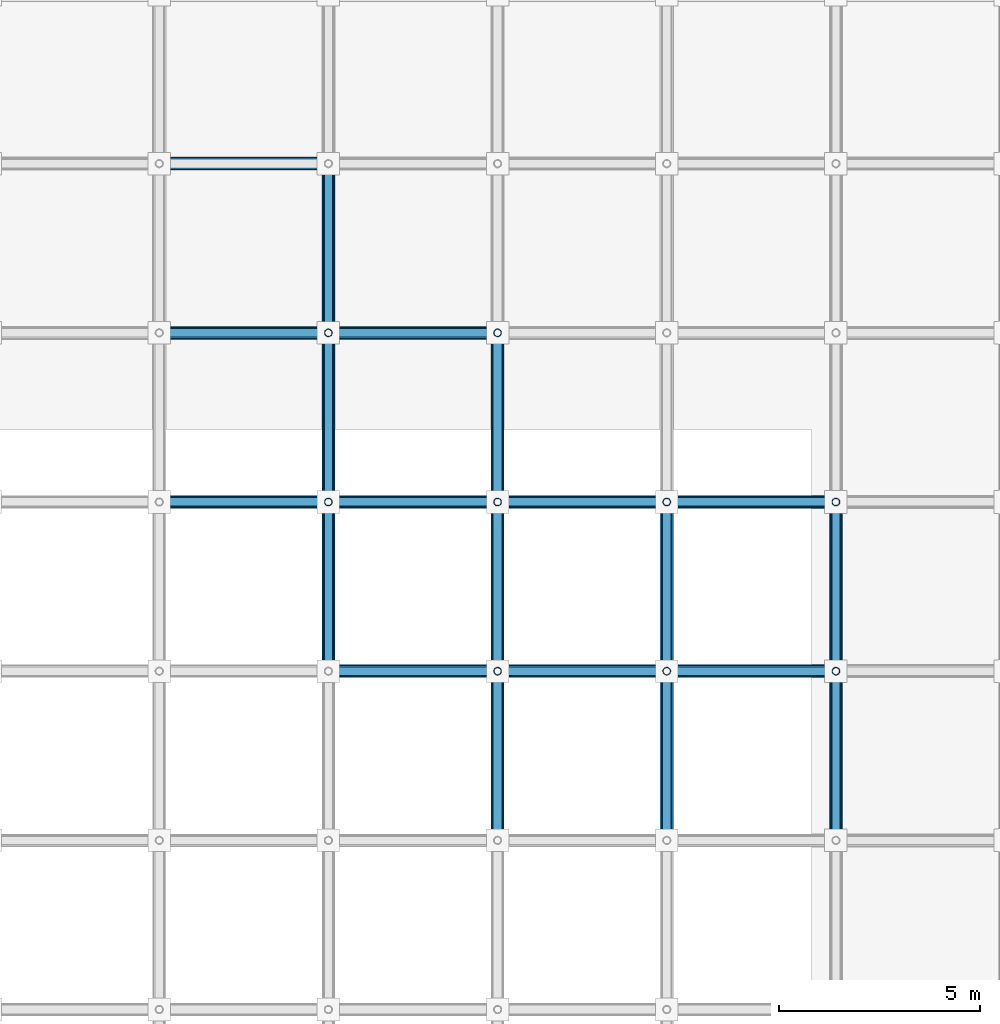
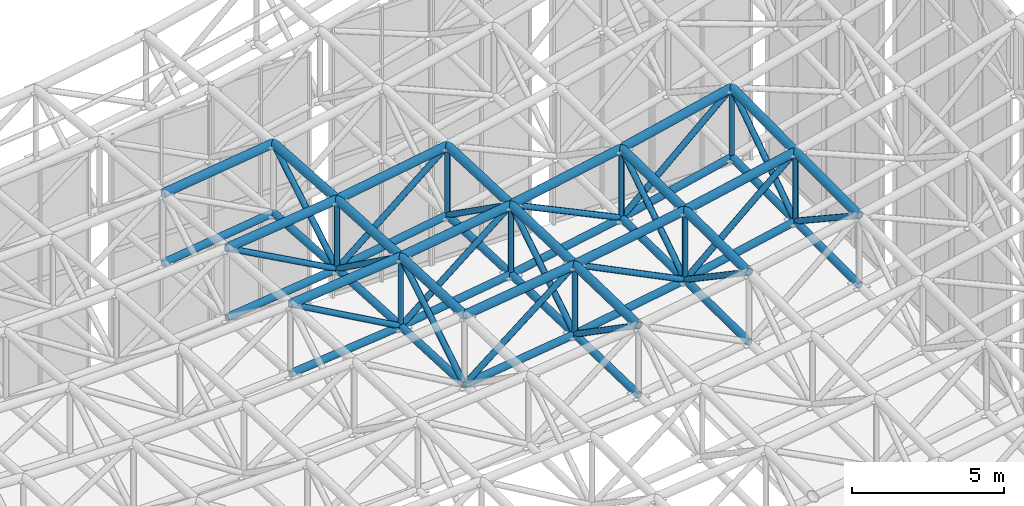
# One storey, part 36 of 93: 68 members.
"""IFC4 building model written with IfcOpenShell, lengths in metres."""

from ifc_helpers import new_model, si_unit, direction, frame, origin, origin_2d, place, context, subcontext, project, spatial, hollow_circle, extrude, material, material_profile, profile_set, type_object, element, save


model = new_model("IFC4")

# Units and contexts
model_context = context("Model", 3, precision=1e-05, world=origin(), true_north=direction((0.0, 1.0)))
body_context = subcontext(model_context, "Body", "Model", "MODEL_VIEW")
ifc_project = project(units=[si_unit("LENGTHUNIT", "METRE"), si_unit("AREAUNIT", "SQUARE_METRE"), si_unit("VOLUMEUNIT", "CUBIC_METRE"), si_unit("PLANEANGLEUNIT", "RADIAN"), si_unit("MASSUNIT", "GRAM", prefix="KILO")], contexts=[model_context])

# Site, building, storey
site_placement = place(None, origin())
site = spatial("IfcSite", under=ifc_project, at=site_placement, CompositionType="ELEMENT")
building_placement = place(site_placement, origin())
building = spatial("IfcBuilding", under=site, at=building_placement, Name="Cumbredor Promenade Congress Hotel", CompositionType="ELEMENT")
storey_placement = place(building_placement, frame((0.0, 0.0, 21.840087890625)))
storey = spatial("IfcBuildingStorey", under=building, at=storey_placement, Name="L06", CompositionType="ELEMENT", Elevation=21.840087890625)

# Members
ifc_material = material(Name="Steel ASTM A500 Grade C", Category="steel")
ifc_material_profile_1 = material_profile(ifc_material, hollow_circle(Radius=0.136474609375, WallThickness=0.01611328125, at=origin_2d()), Name="CHS 273.0x16")
ifc_profile_set_1 = profile_set([ifc_material_profile_1], Name="Steel ASTM A500 Grade C")
member_type_1 = type_object("IfcMemberType", Name="Plenary Roof Space Frame Bottom Chord", PredefinedType="CHORD", material=ifc_profile_set_1)
member_1_placement = place(storey_placement, frame((46.199951171875, 50.39990234375, 8.256103515625), z_axis=(0.991135072385, 0.0, 0.132858075738), x_axis=(0.0, 1.0, 0.0)))
element("IfcMember", 1, at=member_1_placement, inside=storey, type_object=member_type_1, Name="Plenary Congress Hall X Bottom Chord 13.13", PredefinedType="CHORD", context=body_context, shape_type="SweptSolid", body=[
    extrude(hollow_circle(Radius=0.136474609375, WallThickness=0.01611328125, at=origin_2d()), origin(), (0.0, 0.0, 1.0), 4.237548828125),
])
member_2_placement = place(storey_placement, frame((50.39990234375, 50.39990234375, 8.819091796875), z_axis=(0.985471688827, 0.0, 0.169839778968), x_axis=(0.0, 1.0, 0.0)))
element("IfcMember", 2, at=member_2_placement, inside=storey, type_object=member_type_1, Name="Plenary Congress Hall X Bottom Chord 14.13", PredefinedType="CHORD", context=body_context, shape_type="SweptSolid", body=[
    extrude(hollow_circle(Radius=0.136474609375, WallThickness=0.01611328125, at=origin_2d()), origin(), (0.0, 0.0, 1.0), 4.26220703125),
])
member_3_placement = place(storey_placement, frame((54.60009765625, 50.39990234375, 9.54296875), z_axis=(0.978511747539, 0.0, 0.206191076256), x_axis=(0.0, 1.0, 0.0)))
element("IfcMember", 3, at=member_3_placement, inside=storey, type_object=member_type_1, Name="Plenary Congress Hall X Bottom Chord 15.13", PredefinedType="CHORD", context=body_context, shape_type="SweptSolid", body=[
    extrude(hollow_circle(Radius=0.136474609375, WallThickness=0.01611328125, at=origin_2d()), origin(), (0.0, 0.0, 1.0), 4.292236328125),
])
member_4_placement = place(storey_placement, frame((42.0, 54.60009765625, 7.62109375), z_axis=(0.99446833023, 0.0, 0.105036851481), x_axis=(0.0, 1.0, 0.0)))
element("IfcMember", 4, at=member_4_placement, inside=storey, type_object=member_type_1, Name="Plenary Congress Hall X Bottom Chord 12.14", PredefinedType="CHORD", context=body_context, shape_type="SweptSolid", body=[
    extrude(hollow_circle(Radius=0.136474609375, WallThickness=0.01611328125, at=origin_2d()), origin(), (0.0, 0.0, 1.0), 4.223388671875),
])
member_5_placement = place(storey_placement, frame((46.199951171875, 54.60009765625, 8.064697265625), z_axis=(0.989250033401, 0.0, 0.146233961224), x_axis=(0.0, 1.0, 0.0)))
element("IfcMember", 5, at=member_5_placement, inside=storey, type_object=member_type_1, Name="Plenary Congress Hall X Bottom Chord 13.14", PredefinedType="CHORD", context=body_context, shape_type="SweptSolid", body=[
    extrude(hollow_circle(Radius=0.136474609375, WallThickness=0.01611328125, at=origin_2d()), origin(), (0.0, 0.0, 1.0), 4.24560546875),
])
member_6_placement = place(storey_placement, frame((50.39990234375, 54.60009765625, 8.685546875), z_axis=(0.982400987656, 0.0, 0.186784098502), x_axis=(0.0, 1.0, 0.0)))
element("IfcMember", 6, at=member_6_placement, inside=storey, type_object=member_type_1, Name="Plenary Congress Hall X Bottom Chord 14.14", PredefinedType="CHORD", context=body_context, shape_type="SweptSolid", body=[
    extrude(hollow_circle(Radius=0.136474609375, WallThickness=0.01611328125, at=origin_2d()), origin(), (0.0, 0.0, 1.0), 4.275390625),
])
member_7_placement = place(storey_placement, frame((54.60009765625, 54.60009765625, 9.484130859375), z_axis=(0.974054198516, 0.0, 0.226314865516), x_axis=(0.0, 1.0, 0.0)))
element("IfcMember", 7, at=member_7_placement, inside=storey, type_object=member_type_1, Name="Plenary Congress Hall X Bottom Chord 15.14", PredefinedType="CHORD", context=body_context, shape_type="SweptSolid", body=[
    extrude(hollow_circle(Radius=0.136474609375, WallThickness=0.01611328125, at=origin_2d()), origin(), (0.0, 0.0, 1.0), 4.311767578125),
])
member_8_placement = place(storey_placement, frame((42.0, 58.800048828125, 7.329833984375), z_axis=(0.993116278673, 0.0, 0.117132647179), x_axis=(0.0, 1.0, 0.0)))
element("IfcMember", 8, at=member_8_placement, inside=storey, type_object=member_type_1, Name="Plenary Congress Hall X Bottom Chord 12.15", PredefinedType="CHORD", context=body_context, shape_type="SweptSolid", body=[
    extrude(hollow_circle(Radius=0.136474609375, WallThickness=0.01611328125, at=origin_2d()), origin(), (0.0, 0.0, 1.0), 4.22900390625),
])
member_9_placement = place(storey_placement, frame((46.199951171875, 58.800048828125, 7.8251953125), z_axis=(0.986645422548, 0.0, 0.16288281114), x_axis=(0.0, 1.0, 0.0)))
element("IfcMember", 9, at=member_9_placement, inside=storey, type_object=member_type_1, Name="Plenary Congress Hall X Bottom Chord 13.15", PredefinedType="CHORD", context=body_context, shape_type="SweptSolid", body=[
    extrude(hollow_circle(Radius=0.136474609375, WallThickness=0.01611328125, at=origin_2d()), origin(), (0.0, 0.0, 1.0), 4.2568359375),
])
member_10_placement = place(storey_placement, frame((42.0, 63.0, 6.980224609375), z_axis=(0.991308740539, 0.0, 0.131555999224), x_axis=(0.0, 1.0, 0.0)))
element("IfcMember", 10, at=member_10_placement, inside=storey, type_object=member_type_1, Name="Plenary Congress Hall X Bottom Chord 12.16", PredefinedType="CHORD", context=body_context, shape_type="SweptSolid", body=[
    extrude(hollow_circle(Radius=0.136474609375, WallThickness=0.01611328125, at=origin_2d()), origin(), (0.0, 0.0, 1.0), 4.23681640625),
])
member_11_placement = place(storey_placement, frame((46.199951171875, 50.39990234375, 8.256103515625), z_axis=(0.0, 0.998963265667, -0.045523552679), x_axis=(-1.0, 0.0, 0.0)))
element("IfcMember", 11, at=member_11_placement, inside=storey, type_object=member_type_1, Name="Plenary Congress Hall Y Bottom Chord 13.13", PredefinedType="CHORD", context=body_context, shape_type="SweptSolid", body=[
    extrude(hollow_circle(Radius=0.136474609375, WallThickness=0.01611328125, at=origin_2d()), origin(), (0.0, 0.0, 1.0), 4.20458984375),
])
member_12_placement = place(storey_placement, frame((46.199951171875, 54.60009765625, 8.064697265625), z_axis=(0.0, 0.998378032968, -0.056932444942), x_axis=(-1.0, 0.0, 0.0)))
element("IfcMember", 12, at=member_12_placement, inside=storey, type_object=member_type_1, Name="Plenary Congress Hall Y Bottom Chord 13.14", PredefinedType="CHORD", context=body_context, shape_type="SweptSolid", body=[
    extrude(hollow_circle(Radius=0.136474609375, WallThickness=0.01611328125, at=origin_2d()), origin(), (0.0, 0.0, 1.0), 4.206787109375),
])
member_13_placement = place(storey_placement, frame((46.199951171875, 58.800048828125, 7.8251953125), z_axis=(0.0, 0.997663702377, -0.068316447213), x_axis=(-1.0, 0.0, 0.0)))
element("IfcMember", 13, at=member_13_placement, inside=storey, type_object=member_type_1, Name="Plenary Congress Hall Y Bottom Chord 13.15", PredefinedType="CHORD", context=body_context, shape_type="SweptSolid", body=[
    extrude(hollow_circle(Radius=0.136474609375, WallThickness=0.01611328125, at=origin_2d()), origin(), (0.0, 0.0, 1.0), 4.209716796875),
])
member_14_placement = place(storey_placement, frame((50.39990234375, 46.199951171875, 8.919189453125), z_axis=(0.0, 0.99971611374, -0.023826286498), x_axis=(-1.0, 0.0, 0.0)))
element("IfcMember", 14, at=member_14_placement, inside=storey, type_object=member_type_1, Name="Plenary Congress Hall Y Bottom Chord 14.12", PredefinedType="CHORD", context=body_context, shape_type="SweptSolid", body=[
    extrude(hollow_circle(Radius=0.136474609375, WallThickness=0.01611328125, at=origin_2d()), origin(), (0.0, 0.0, 1.0), 4.201171875),
])
member_15_placement = place(storey_placement, frame((50.39990234375, 50.39990234375, 8.819091796875), z_axis=(0.0, 0.999494924079, -0.031778872557), x_axis=(-1.0, 0.0, 0.0)))
element("IfcMember", 15, at=member_15_placement, inside=storey, type_object=member_type_1, Name="Plenary Congress Hall Y Bottom Chord 14.13", PredefinedType="CHORD", context=body_context, shape_type="SweptSolid", body=[
    extrude(hollow_circle(Radius=0.136474609375, WallThickness=0.01611328125, at=origin_2d()), origin(), (0.0, 0.0, 1.0), 4.202392578125),
])
member_16_placement = place(storey_placement, frame((50.39990234375, 54.60009765625, 8.685546875), z_axis=(0.0, 0.999210487027, -0.039729115452), x_axis=(-1.0, 0.0, 0.0)))
element("IfcMember", 16, at=member_16_placement, inside=storey, type_object=member_type_1, Name="Plenary Congress Hall Y Bottom Chord 14.14", PredefinedType="CHORD", context=body_context, shape_type="SweptSolid", body=[
    extrude(hollow_circle(Radius=0.136474609375, WallThickness=0.01611328125, at=origin_2d()), origin(), (0.0, 0.0, 1.0), 4.203369140625),
])
member_17_placement = place(storey_placement, frame((54.60009765625, 46.199951171875, 9.58740234375), z_axis=(0.0, 0.999944041257, -0.01057895806), x_axis=(-1.0, 0.0, 0.0)))
element("IfcMember", 17, at=member_17_placement, inside=storey, type_object=member_type_1, Name="Plenary Congress Hall Y Bottom Chord 15.12", PredefinedType="CHORD", context=body_context, shape_type="SweptSolid", body=[
    extrude(hollow_circle(Radius=0.136474609375, WallThickness=0.01611328125, at=origin_2d()), origin(), (0.0, 0.0, 1.0), 4.2001953125),
])
member_18_placement = place(storey_placement, frame((54.60009765625, 50.39990234375, 9.54296875), z_axis=(0.0, 0.999901897221, -0.014006995886), x_axis=(-1.0, 0.0, 0.0)))
element("IfcMember", 18, at=member_18_placement, inside=storey, type_object=member_type_1, Name="Plenary Congress Hall Y Bottom Chord 15.13", PredefinedType="CHORD", context=body_context, shape_type="SweptSolid", body=[
    extrude(hollow_circle(Radius=0.136474609375, WallThickness=0.01611328125, at=origin_2d()), origin(), (0.0, 0.0, 1.0), 4.20068359375),
])
member_19_placement = place(storey_placement, frame((58.800048828125, 46.199951171875, 10.40380859375), z_axis=(0.0, 0.999983441491, 0.005754714916), x_axis=(-1.0, 0.0, 0.0)))
element("IfcMember", 19, at=member_19_placement, inside=storey, type_object=member_type_1, Name="Plenary Congress Hall Y Bottom Chord 16.12", PredefinedType="CHORD", context=body_context, shape_type="SweptSolid", body=[
    extrude(hollow_circle(Radius=0.136474609375, WallThickness=0.01611328125, at=origin_2d()), origin(), (0.0, 0.0, 1.0), 4.199951171875),
])
member_20_placement = place(storey_placement, frame((58.800048828125, 50.39990234375, 10.427978515625), z_axis=(0.0, 0.999971010893, 0.007614287516), x_axis=(-1.0, 0.0, 0.0)))
element("IfcMember", 20, at=member_20_placement, inside=storey, type_object=member_type_1, Name="Plenary Congress Hall Y Bottom Chord 16.13", PredefinedType="CHORD", context=body_context, shape_type="SweptSolid", body=[
    extrude(hollow_circle(Radius=0.136474609375, WallThickness=0.01611328125, at=origin_2d()), origin(), (0.0, 0.0, 1.0), 4.2001953125),
])
ifc_material_profile_2 = material_profile(ifc_material, hollow_circle(Radius=0.161865234375, WallThickness=0.01611328125, at=origin_2d()), Name="CHS 323.9x16")
ifc_profile_set_2 = profile_set([ifc_material_profile_2], Name="Steel ASTM A500 Grade C")
member_type_2 = type_object("IfcMemberType", Name="Plenary Roof Space Frame Top Chord", PredefinedType="CHORD", material=ifc_profile_set_2)
member_21_placement = place(storey_placement, frame((46.199951171875, 50.39990234375, 11.055908203125), z_axis=(0.991127484187, 0.0, 0.13291467221), x_axis=(0.0, 1.0, 0.0)))
element("IfcMember", 21, at=member_21_placement, inside=storey, type_object=member_type_2, Name="Plenary Congress Hall X Top Chord 13.13", PredefinedType="CHORD", context=body_context, shape_type="SweptSolid", body=[
    extrude(hollow_circle(Radius=0.161865234375, WallThickness=0.01611328125, at=origin_2d()), origin(), (0.0, 0.0, 1.0), 4.237548828125),
])
member_22_placement = place(storey_placement, frame((50.39990234375, 50.39990234375, 11.619140625), z_axis=(0.985471688827, 0.0, 0.169839778968), x_axis=(0.0, 1.0, 0.0)))
element("IfcMember", 22, at=member_22_placement, inside=storey, type_object=member_type_2, Name="Plenary Congress Hall X Top Chord 14.13", PredefinedType="CHORD", context=body_context, shape_type="SweptSolid", body=[
    extrude(hollow_circle(Radius=0.161865234375, WallThickness=0.01611328125, at=origin_2d()), origin(), (0.0, 0.0, 1.0), 4.26220703125),
])
member_23_placement = place(storey_placement, frame((54.60009765625, 50.39990234375, 12.343017578125), z_axis=(0.978511747539, 0.0, 0.206191076256), x_axis=(0.0, 1.0, 0.0)))
element("IfcMember", 23, at=member_23_placement, inside=storey, type_object=member_type_2, Name="Plenary Congress Hall X Top Chord 15.13", PredefinedType="CHORD", context=body_context, shape_type="SweptSolid", body=[
    extrude(hollow_circle(Radius=0.161865234375, WallThickness=0.01611328125, at=origin_2d()), origin(), (0.0, 0.0, 1.0), 4.292236328125),
])
member_24_placement = place(storey_placement, frame((42.0, 54.60009765625, 10.421142578125), z_axis=(0.994474366989, 0.0, 0.104979680896), x_axis=(0.0, 1.0, 0.0)))
element("IfcMember", 24, at=member_24_placement, inside=storey, type_object=member_type_2, Name="Plenary Congress Hall X Top Chord 12.14", PredefinedType="CHORD", context=body_context, shape_type="SweptSolid", body=[
    extrude(hollow_circle(Radius=0.161865234375, WallThickness=0.01611328125, at=origin_2d()), origin(), (0.0, 0.0, 1.0), 4.223388671875),
])
member_25_placement = place(storey_placement, frame((46.199951171875, 54.60009765625, 10.864501953125), z_axis=(0.989241713157, 0.0, 0.146290235324), x_axis=(0.0, 1.0, 0.0)))
element("IfcMember", 25, at=member_25_placement, inside=storey, type_object=member_type_2, Name="Plenary Congress Hall X Top Chord 13.14", PredefinedType="CHORD", context=body_context, shape_type="SweptSolid", body=[
    extrude(hollow_circle(Radius=0.161865234375, WallThickness=0.01611328125, at=origin_2d()), origin(), (0.0, 0.0, 1.0), 4.24560546875),
])
member_26_placement = place(storey_placement, frame((50.39990234375, 54.60009765625, 11.485595703125), z_axis=(0.982400987656, 0.0, 0.186784098502), x_axis=(0.0, 1.0, 0.0)))
element("IfcMember", 26, at=member_26_placement, inside=storey, type_object=member_type_2, Name="Plenary Congress Hall X Top Chord 14.14", PredefinedType="CHORD", context=body_context, shape_type="SweptSolid", body=[
    extrude(hollow_circle(Radius=0.161865234375, WallThickness=0.01611328125, at=origin_2d()), origin(), (0.0, 0.0, 1.0), 4.275390625),
])
member_27_placement = place(storey_placement, frame((54.60009765625, 54.60009765625, 12.2841796875), z_axis=(0.974054198516, 0.0, 0.226314865516), x_axis=(0.0, 1.0, 0.0)))
element("IfcMember", 27, at=member_27_placement, inside=storey, type_object=member_type_2, Name="Plenary Congress Hall X Top Chord 15.14", PredefinedType="CHORD", context=body_context, shape_type="SweptSolid", body=[
    extrude(hollow_circle(Radius=0.161865234375, WallThickness=0.01611328125, at=origin_2d()), origin(), (0.0, 0.0, 1.0), 4.311767578125),
])
member_28_placement = place(storey_placement, frame((42.0, 58.800048828125, 10.1298828125), z_axis=(0.993122992518, 0.0, 0.117075709401), x_axis=(0.0, 1.0, 0.0)))
element("IfcMember", 28, at=member_28_placement, inside=storey, type_object=member_type_2, Name="Plenary Congress Hall X Top Chord 12.15", PredefinedType="CHORD", context=body_context, shape_type="SweptSolid", body=[
    extrude(hollow_circle(Radius=0.161865234375, WallThickness=0.01611328125, at=origin_2d()), origin(), (0.0, 0.0, 1.0), 4.22900390625),
])
member_29_placement = place(storey_placement, frame((46.199951171875, 58.800048828125, 10.625), z_axis=(0.986636203976, 0.0, 0.162938641836), x_axis=(0.0, 1.0, 0.0)))
element("IfcMember", 29, at=member_29_placement, inside=storey, type_object=member_type_2, Name="Plenary Congress Hall X Top Chord 13.15", PredefinedType="CHORD", context=body_context, shape_type="SweptSolid", body=[
    extrude(hollow_circle(Radius=0.161865234375, WallThickness=0.01611328125, at=origin_2d()), origin(), (0.0, 0.0, 1.0), 4.2568359375),
])
member_30_placement = place(storey_placement, frame((42.0, 63.0, 9.7802734375), z_axis=(0.991308740539, 0.0, 0.131555999224), x_axis=(0.0, 1.0, 0.0)))
element("IfcMember", 30, at=member_30_placement, inside=storey, type_object=member_type_2, Name="Plenary Congress Hall X Top Chord 12.16", PredefinedType="CHORD", context=body_context, shape_type="SweptSolid", body=[
    extrude(hollow_circle(Radius=0.161865234375, WallThickness=0.01611328125, at=origin_2d()), origin(), (0.0, 0.0, 1.0), 4.23681640625),
])
member_31_placement = place(storey_placement, frame((46.199951171875, 50.39990234375, 11.055908203125), z_axis=(0.0, 0.998963265667, -0.045523552679), x_axis=(-1.0, 0.0, 0.0)))
element("IfcMember", 31, at=member_31_placement, inside=storey, type_object=member_type_2, Name="Plenary Congress Hall Y Top Chord 13.13", PredefinedType="CHORD", context=body_context, shape_type="SweptSolid", body=[
    extrude(hollow_circle(Radius=0.161865234375, WallThickness=0.01611328125, at=origin_2d()), origin(), (0.0, 0.0, 1.0), 4.20458984375),
])
member_32_placement = place(storey_placement, frame((46.199951171875, 54.60009765625, 10.864501953125), z_axis=(0.0, 0.998378032968, -0.056932444942), x_axis=(-1.0, 0.0, 0.0)))
element("IfcMember", 32, at=member_32_placement, inside=storey, type_object=member_type_2, Name="Plenary Congress Hall Y Top Chord 13.14", PredefinedType="CHORD", context=body_context, shape_type="SweptSolid", body=[
    extrude(hollow_circle(Radius=0.161865234375, WallThickness=0.01611328125, at=origin_2d()), origin(), (0.0, 0.0, 1.0), 4.206787109375),
])
member_33_placement = place(storey_placement, frame((46.199951171875, 58.800048828125, 10.625), z_axis=(0.0, 0.997667653382, -0.068258723945), x_axis=(-1.0, 0.0, 0.0)))
element("IfcMember", 33, at=member_33_placement, inside=storey, type_object=member_type_2, Name="Plenary Congress Hall Y Top Chord 13.15", PredefinedType="CHORD", context=body_context, shape_type="SweptSolid", body=[
    extrude(hollow_circle(Radius=0.161865234375, WallThickness=0.01611328125, at=origin_2d()), origin(), (0.0, 0.0, 1.0), 4.209716796875),
])
member_34_placement = place(storey_placement, frame((50.39990234375, 46.199951171875, 11.718994140625), z_axis=(0.0, 0.999717496276, -0.023768206474), x_axis=(-1.0, 0.0, 0.0)))
element("IfcMember", 34, at=member_34_placement, inside=storey, type_object=member_type_2, Name="Plenary Congress Hall Y Top Chord 14.12", PredefinedType="CHORD", context=body_context, shape_type="SweptSolid", body=[
    extrude(hollow_circle(Radius=0.161865234375, WallThickness=0.01611328125, at=origin_2d()), origin(), (0.0, 0.0, 1.0), 4.201171875),
])
member_35_placement = place(storey_placement, frame((50.39990234375, 50.39990234375, 11.619140625), z_axis=(0.0, 0.999494924079, -0.031778872557), x_axis=(-1.0, 0.0, 0.0)))
element("IfcMember", 35, at=member_35_placement, inside=storey, type_object=member_type_2, Name="Plenary Congress Hall Y Top Chord 14.13", PredefinedType="CHORD", context=body_context, shape_type="SweptSolid", body=[
    extrude(hollow_circle(Radius=0.161865234375, WallThickness=0.01611328125, at=origin_2d()), origin(), (0.0, 0.0, 1.0), 4.202392578125),
])
member_36_placement = place(storey_placement, frame((50.39990234375, 54.60009765625, 11.485595703125), z_axis=(0.0, 0.999210487027, -0.039729115452), x_axis=(-1.0, 0.0, 0.0)))
element("IfcMember", 36, at=member_36_placement, inside=storey, type_object=member_type_2, Name="Plenary Congress Hall Y Top Chord 14.14", PredefinedType="CHORD", context=body_context, shape_type="SweptSolid", body=[
    extrude(hollow_circle(Radius=0.161865234375, WallThickness=0.01611328125, at=origin_2d()), origin(), (0.0, 0.0, 1.0), 4.203369140625),
])
member_37_placement = place(storey_placement, frame((54.60009765625, 46.199951171875, 12.38720703125), z_axis=(0.0, 0.999944654448, -0.010520838369), x_axis=(-1.0, 0.0, 0.0)))
element("IfcMember", 37, at=member_37_placement, inside=storey, type_object=member_type_2, Name="Plenary Congress Hall Y Top Chord 15.12", PredefinedType="CHORD", context=body_context, shape_type="SweptSolid", body=[
    extrude(hollow_circle(Radius=0.161865234375, WallThickness=0.01611328125, at=origin_2d()), origin(), (0.0, 0.0, 1.0), 4.2001953125),
])
member_38_placement = place(storey_placement, frame((54.60009765625, 50.39990234375, 12.343017578125), z_axis=(0.0, 0.999901897221, -0.014006995886), x_axis=(-1.0, 0.0, 0.0)))
element("IfcMember", 38, at=member_38_placement, inside=storey, type_object=member_type_2, Name="Plenary Congress Hall Y Top Chord 15.13", PredefinedType="CHORD", context=body_context, shape_type="SweptSolid", body=[
    extrude(hollow_circle(Radius=0.161865234375, WallThickness=0.01611328125, at=origin_2d()), origin(), (0.0, 0.0, 1.0), 4.20068359375),
])
member_39_placement = place(storey_placement, frame((58.800048828125, 46.199951171875, 13.20361328125), z_axis=(0.0, 0.999983105295, 0.005812841396), x_axis=(-1.0, 0.0, 0.0)))
element("IfcMember", 39, at=member_39_placement, inside=storey, type_object=member_type_2, Name="Plenary Congress Hall Y Top Chord 16.12", PredefinedType="CHORD", context=body_context, shape_type="SweptSolid", body=[
    extrude(hollow_circle(Radius=0.161865234375, WallThickness=0.01611328125, at=origin_2d()), origin(), (0.0, 0.0, 1.0), 4.199951171875),
])
member_40_placement = place(storey_placement, frame((58.800048828125, 50.39990234375, 13.22802734375), z_axis=(0.0, 0.999971010893, 0.007614287516), x_axis=(-1.0, 0.0, 0.0)))
element("IfcMember", 40, at=member_40_placement, inside=storey, type_object=member_type_2, Name="Plenary Congress Hall Y Top Chord 16.13", PredefinedType="CHORD", context=body_context, shape_type="SweptSolid", body=[
    extrude(hollow_circle(Radius=0.161865234375, WallThickness=0.01611328125, at=origin_2d()), origin(), (0.0, 0.0, 1.0), 4.2001953125),
])
ifc_material_profile_3 = material_profile(ifc_material, hollow_circle(Radius=0.109619140625, WallThickness=0.012451171875, at=origin_2d()), Name="CHS 219.1x12.5")
ifc_profile_set_3 = profile_set([ifc_material_profile_3], Name="Steel ASTM A500 Grade C")
member_type_3 = type_object("IfcMemberType", Name="Space Frame Web Diagonal D1", PredefinedType="BRACE", material=ifc_profile_set_3)
member_41_placement = place(storey_placement, frame((46.199951171875, 50.39990234375, 8.256103515625), z_axis=(0.780589840053, 0.0, 0.625043599764), x_axis=(0.0, 1.0, 0.0)))
element("IfcMember", 41, at=member_41_placement, inside=storey, type_object=member_type_3, Name="Plenary Congress Hall X Web Diagonal 13.13", PredefinedType="BRACE", context=body_context, shape_type="SweptSolid", body=[
    extrude(hollow_circle(Radius=0.109619140625, WallThickness=0.012451171875, at=origin_2d()), origin(), (0.0, 0.0, 1.0), 5.38037109375),
])
member_42_placement = place(storey_placement, frame((50.39990234375, 50.39990234375, 11.619140625), z_axis=(0.896460482359, 0.0, -0.443123688792), x_axis=(0.0, 1.0, 0.0)))
element("IfcMember", 42, at=member_42_placement, inside=storey, type_object=member_type_3, Name="Plenary Congress Hall X Web Diagonal 14.13", PredefinedType="BRACE", context=body_context, shape_type="SweptSolid", body=[
    extrude(hollow_circle(Radius=0.109619140625, WallThickness=0.012451171875, at=origin_2d()), origin(), (0.0, 0.0, 1.0), 4.685302734375),
])
member_43_placement = place(storey_placement, frame((54.60009765625, 50.39990234375, 9.54296875), z_axis=(0.751680063295, 0.0, 0.659527923931), x_axis=(0.0, 1.0, 0.0)))
element("IfcMember", 43, at=member_43_placement, inside=storey, type_object=member_type_3, Name="Plenary Congress Hall X Web Diagonal 15.13", PredefinedType="BRACE", context=body_context, shape_type="SweptSolid", body=[
    extrude(hollow_circle(Radius=0.109619140625, WallThickness=0.012451171875, at=origin_2d()), origin(), (0.0, 0.0, 1.0), 5.58740234375),
])
member_44_placement = place(storey_placement, frame((42.0, 54.60009765625, 10.421142578125), z_axis=(0.872109800473, 0.0, -0.489310224622), x_axis=(0.0, 1.0, 0.0)))
element("IfcMember", 44, at=member_44_placement, inside=storey, type_object=member_type_3, Name="Plenary Congress Hall X Web Diagonal 12.14", PredefinedType="BRACE", context=body_context, shape_type="SweptSolid", body=[
    extrude(hollow_circle(Radius=0.109619140625, WallThickness=0.012451171875, at=origin_2d()), origin(), (0.0, 0.0, 1.0), 4.81591796875),
])
member_45_placement = place(storey_placement, frame((46.199951171875, 54.60009765625, 8.064697265625), z_axis=(0.775351048957, 0.0, 0.631530482939), x_axis=(0.0, 1.0, 0.0)))
element("IfcMember", 45, at=member_45_placement, inside=storey, type_object=member_type_3, Name="Plenary Congress Hall X Web Diagonal 13.14", PredefinedType="BRACE", context=body_context, shape_type="SweptSolid", body=[
    extrude(hollow_circle(Radius=0.109619140625, WallThickness=0.012451171875, at=origin_2d()), origin(), (0.0, 0.0, 1.0), 5.416748046875),
])
member_46_placement = place(storey_placement, frame((50.39990234375, 54.60009765625, 11.485595703125), z_axis=(0.902746035488, 0.0, -0.430173912982), x_axis=(0.0, 1.0, 0.0)))
element("IfcMember", 46, at=member_46_placement, inside=storey, type_object=member_type_3, Name="Plenary Congress Hall X Web Diagonal 14.14", PredefinedType="BRACE", context=body_context, shape_type="SweptSolid", body=[
    extrude(hollow_circle(Radius=0.109619140625, WallThickness=0.012451171875, at=origin_2d()), origin(), (0.0, 0.0, 1.0), 4.652587890625),
])
member_47_placement = place(storey_placement, frame((54.60009765625, 54.60009765625, 9.484130859375), z_axis=(0.743652999647, 0.0, 0.668565790417), x_axis=(0.0, 1.0, 0.0)))
element("IfcMember", 47, at=member_47_placement, inside=storey, type_object=member_type_3, Name="Plenary Congress Hall X Web Diagonal 15.14", PredefinedType="BRACE", context=body_context, shape_type="SweptSolid", body=[
    extrude(hollow_circle(Radius=0.109619140625, WallThickness=0.012451171875, at=origin_2d()), origin(), (0.0, 0.0, 1.0), 5.647705078125),
])
member_48_placement = place(storey_placement, frame((42.0, 58.800048828125, 10.1298828125), z_axis=(0.876681386085, 0.0, -0.481071457574), x_axis=(0.0, 1.0, 0.0)))
element("IfcMember", 48, at=member_48_placement, inside=storey, type_object=member_type_3, Name="Plenary Congress Hall X Web Diagonal 12.15", PredefinedType="BRACE", context=body_context, shape_type="SweptSolid", body=[
    extrude(hollow_circle(Radius=0.109619140625, WallThickness=0.012451171875, at=origin_2d()), origin(), (0.0, 0.0, 1.0), 4.790771484375),
])
member_49_placement = place(storey_placement, frame((46.199951171875, 58.800048828125, 7.8251953125), z_axis=(0.768810721716, 0.0, 0.639476406269), x_axis=(0.0, 1.0, 0.0)))
element("IfcMember", 49, at=member_49_placement, inside=storey, type_object=member_type_3, Name="Plenary Congress Hall X Web Diagonal 13.15", PredefinedType="BRACE", context=body_context, shape_type="SweptSolid", body=[
    extrude(hollow_circle(Radius=0.109619140625, WallThickness=0.012451171875, at=origin_2d()), origin(), (0.0, 0.0, 1.0), 5.462890625),
])
member_50_placement = place(storey_placement, frame((46.199951171875, 50.39990234375, 8.256103515625), z_axis=(0.0, 0.849515020751, 0.527564431627), x_axis=(-1.0, 0.0, 0.0)))
element("IfcMember", 50, at=member_50_placement, inside=storey, type_object=member_type_3, Name="Plenary Congress Hall Y Web Diagonal 13.13", PredefinedType="BRACE", context=body_context, shape_type="SweptSolid", body=[
    extrude(hollow_circle(Radius=0.109619140625, WallThickness=0.012451171875, at=origin_2d()), origin(), (0.0, 0.0, 1.0), 4.9443359375),
])
member_51_placement = place(storey_placement, frame((46.199951171875, 54.60009765625, 10.864501953125), z_axis=(0.0, 0.810128759959, -0.586251987022), x_axis=(-1.0, 0.0, 0.0)))
element("IfcMember", 51, at=member_51_placement, inside=storey, type_object=member_type_3, Name="Plenary Congress Hall Y Web Diagonal 13.14", PredefinedType="BRACE", context=body_context, shape_type="SweptSolid", body=[
    extrude(hollow_circle(Radius=0.109619140625, WallThickness=0.012451171875, at=origin_2d()), origin(), (0.0, 0.0, 1.0), 5.184326171875),
])
member_52_placement = place(storey_placement, frame((46.199951171875, 58.800048828125, 7.8251953125), z_axis=(0.0, 0.858170029326, 0.513365562506), x_axis=(-1.0, 0.0, 0.0)))
element("IfcMember", 52, at=member_52_placement, inside=storey, type_object=member_type_3, Name="Plenary Congress Hall Y Web Diagonal 13.15", PredefinedType="BRACE", context=body_context, shape_type="SweptSolid", body=[
    extrude(hollow_circle(Radius=0.109619140625, WallThickness=0.012451171875, at=origin_2d()), origin(), (0.0, 0.0, 1.0), 4.89404296875),
])
member_53_placement = place(storey_placement, frame((50.39990234375, 46.199951171875, 11.718994140625), z_axis=(0.0, 0.822902758261, -0.568182233484), x_axis=(-1.0, 0.0, 0.0)))
element("IfcMember", 53, at=member_53_placement, inside=storey, type_object=member_type_3, Name="Plenary Congress Hall Y Web Diagonal 14.12", PredefinedType="BRACE", context=body_context, shape_type="SweptSolid", body=[
    extrude(hollow_circle(Radius=0.109619140625, WallThickness=0.012451171875, at=origin_2d()), origin(), (0.0, 0.0, 1.0), 5.103759765625),
])
member_54_placement = place(storey_placement, frame((50.39990234375, 50.39990234375, 8.819091796875), z_axis=(0.0, 0.84423889682, 0.53596705598), x_axis=(-1.0, 0.0, 0.0)))
element("IfcMember", 54, at=member_54_placement, inside=storey, type_object=member_type_3, Name="Plenary Congress Hall Y Web Diagonal 14.13", PredefinedType="BRACE", context=body_context, shape_type="SweptSolid", body=[
    extrude(hollow_circle(Radius=0.109619140625, WallThickness=0.012451171875, at=origin_2d()), origin(), (0.0, 0.0, 1.0), 4.97509765625),
])
member_55_placement = place(storey_placement, frame((50.39990234375, 54.60009765625, 11.485595703125), z_axis=(0.0, 0.816750703973, -0.576990717048), x_axis=(-1.0, 0.0, 0.0)))
element("IfcMember", 55, at=member_55_placement, inside=storey, type_object=member_type_3, Name="Plenary Congress Hall Y Web Diagonal 14.14", PredefinedType="BRACE", context=body_context, shape_type="SweptSolid", body=[
    extrude(hollow_circle(Radius=0.109619140625, WallThickness=0.012451171875, at=origin_2d()), origin(), (0.0, 0.0, 1.0), 5.142333984375),
])
member_56_placement = place(storey_placement, frame((54.60009765625, 46.199951171875, 12.38720703125), z_axis=(0.0, 0.828000147671, -0.560727880042), x_axis=(-1.0, 0.0, 0.0)))
element("IfcMember", 56, at=member_56_placement, inside=storey, type_object=member_type_3, Name="Plenary Congress Hall Y Web Diagonal 15.12", PredefinedType="BRACE", context=body_context, shape_type="SweptSolid", body=[
    extrude(hollow_circle(Radius=0.109619140625, WallThickness=0.012451171875, at=origin_2d()), origin(), (0.0, 0.0, 1.0), 5.072509765625),
])
member_57_placement = place(storey_placement, frame((54.60009765625, 50.39990234375, 9.54296875), z_axis=(0.0, 0.837432372654, 0.546540960251), x_axis=(-1.0, 0.0, 0.0)))
element("IfcMember", 57, at=member_57_placement, inside=storey, type_object=member_type_3, Name="Plenary Congress Hall Y Web Diagonal 15.13", PredefinedType="BRACE", context=body_context, shape_type="SweptSolid", body=[
    extrude(hollow_circle(Radius=0.109619140625, WallThickness=0.012451171875, at=origin_2d()), origin(), (0.0, 0.0, 1.0), 5.015625),
])
member_58_placement = place(storey_placement, frame((58.800048828125, 46.199951171875, 13.20361328125), z_axis=(0.0, 0.834274375476, -0.551349495715), x_axis=(-1.0, 0.0, 0.0)))
element("IfcMember", 58, at=member_58_placement, inside=storey, type_object=member_type_3, Name="Plenary Congress Hall Y Web Diagonal 16.12", PredefinedType="BRACE", context=body_context, shape_type="SweptSolid", body=[
    extrude(hollow_circle(Radius=0.109619140625, WallThickness=0.012451171875, at=origin_2d()), origin(), (0.0, 0.0, 1.0), 5.0341796875),
])
member_59_placement = place(storey_placement, frame((58.800048828125, 50.39990234375, 10.427978515625), z_axis=(0.0, 0.829132393588, 0.559052299792), x_axis=(-1.0, 0.0, 0.0)))
element("IfcMember", 59, at=member_59_placement, inside=storey, type_object=member_type_3, Name="Plenary Congress Hall Y Web Diagonal 16.13", PredefinedType="BRACE", context=body_context, shape_type="SweptSolid", body=[
    extrude(hollow_circle(Radius=0.109619140625, WallThickness=0.012451171875, at=origin_2d()), origin(), (0.0, 0.0, 1.0), 5.065673828125),
])
ifc_material_profile_4 = material_profile(ifc_material, hollow_circle(Radius=0.096923828125, WallThickness=0.010009765625, at=origin_2d()), Name="CHS 193.7x10")
ifc_profile_set_4 = profile_set([ifc_material_profile_4], Name="Steel ASTM A500 Grade C")
member_type_4 = type_object("IfcMemberType", Name="Space Frame Web Post P1", PredefinedType="BRACE", material=ifc_profile_set_4)
for number, where, z_axis, x_axis, name in (
    (60, (46.199951171875, 54.60009765625, 8.064697265625), (0.0, 0.0, 1.0), (1.0, 0.0, 0.0), "Plenary Congress Hall Space Frame Web Post 13.14"),
    (61, (46.199951171875, 58.800048828125, 7.8251953125), (0.0, 0.0, 1.0), (1.0, 0.0, 0.0), "Plenary Congress Hall Space Frame Web Post 13.15"),
):
    element("IfcMember", number, at=place(storey_placement, frame(where, z_axis=z_axis, x_axis=x_axis)), inside=storey, type_object=member_type_4, Name=name, PredefinedType="BRACE", context=body_context, shape_type="SweptSolid", body=[
        extrude(hollow_circle(Radius=0.096923828125, WallThickness=0.010009765625, at=origin_2d()), origin(), (0.0, 0.0, 1.0), 2.7998046875),
    ])
for number, where, z_axis, x_axis, name in (
    (62, (50.39990234375, 50.39990234375, 8.819091796875), (0.0, 0.0, 1.0), (1.0, 0.0, 0.0), "Plenary Congress Hall Space Frame Web Post 14.13"),
    (63, (50.39990234375, 54.60009765625, 8.685546875), (0.0, 0.0, 1.0), (1.0, 0.0, 0.0), "Plenary Congress Hall Space Frame Web Post 14.14"),
    (64, (50.39990234375, 58.800048828125, 8.5185546875), (0.0, 0.0, 1.0), (1.0, 0.0, 0.0), "Plenary Congress Hall Space Frame Web Post 14.15"),
    (65, (54.60009765625, 50.39990234375, 9.54296875), (0.0, 0.0, 1.0), (1.0, 0.0, 0.0), "Plenary Congress Hall Space Frame Web Post 15.13"),
    (66, (54.60009765625, 54.60009765625, 9.484130859375), (0.0, 0.0, 1.0), (1.0, 0.0, 0.0), "Plenary Congress Hall Space Frame Web Post 15.14"),
    (67, (58.800048828125, 50.39990234375, 10.427978515625), (0.0, 0.0, 1.0), (1.0, 0.0, 0.0), "Plenary Congress Hall Space Frame Web Post 16.13"),
    (68, (58.800048828125, 54.60009765625, 10.4599609375), (0.0, 0.0, 1.0), (1.0, 0.0, 0.0), "Plenary Congress Hall Space Frame Web Post 16.14"),
):
    element("IfcMember", number, at=place(storey_placement, frame(where, z_axis=z_axis, x_axis=x_axis)), inside=storey, type_object=member_type_4, Name=name, PredefinedType="BRACE", context=body_context, shape_type="SweptSolid", body=[
        extrude(hollow_circle(Radius=0.096923828125, WallThickness=0.010009765625, at=origin_2d()), origin(), (0.0, 0.0, 1.0), 2.800048828125),
    ])

save(model, "model.ifc")
